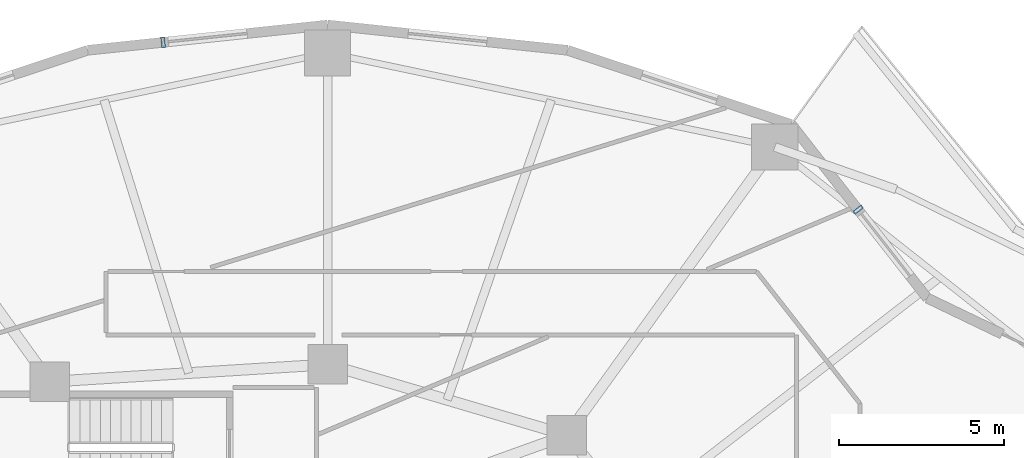
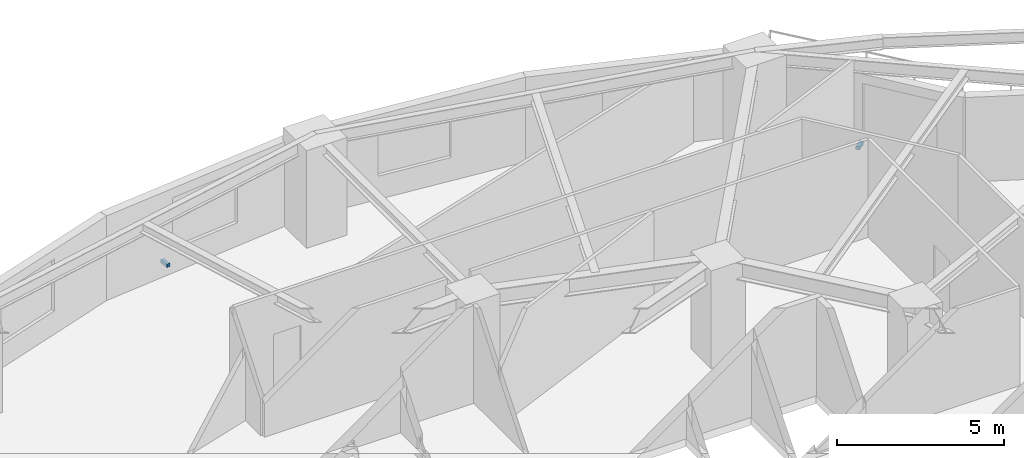
# One storey, part 9 of 14: 2 discrete accessories.
"""IFC4 building model written with IfcOpenShell, lengths in metres."""

from ifc_helpers import new_model, si_unit, direction, frame, origin, origin_2d, place, context, subcontext, project, spatial, rectangle, extrude, material, type_object, element, save


model = new_model("IFC4")

# Units and contexts
model_context = context("Model", 3, precision=1e-05, world=origin(), true_north=direction((0.0, 1.0)))
body_context = subcontext(model_context, "Body", "Model", "MODEL_VIEW")
ifc_project = project(units=[si_unit("LENGTHUNIT", "METRE"), si_unit("AREAUNIT", "SQUARE_METRE"), si_unit("VOLUMEUNIT", "CUBIC_METRE"), si_unit("PLANEANGLEUNIT", "RADIAN"), si_unit("MASSUNIT", "GRAM", prefix="KILO")], contexts=[model_context])

# Site, building, storey
site_placement = place(None, origin())
site = spatial("IfcSite", under=ifc_project, at=site_placement, CompositionType="ELEMENT")
building_placement = place(site_placement, origin())
building = spatial("IfcBuilding", under=site, at=building_placement, Name="Kolvaren Gate Tower and Convention Centre", CompositionType="ELEMENT")
storey_placement = place(building_placement, frame((0.0, 0.0, 41.89990234375)))
storey = spatial("IfcBuildingStorey", under=building, at=storey_placement, Name="L09", CompositionType="ELEMENT", Elevation=41.89990234375)

# Discrete accessories
ifc_material = material(Name="Anodized Architectural Aluminium Alloy 6063-T6", Category="aluminium")
discrete_accessory_type = type_object("IfcDiscreteAccessoryType", Name="ARCH-ACC-BRACKET-120", PredefinedType="BRACKET", material=ifc_material)
for number, where, z_axis, x_axis, name in (
    (1, (46.215576171875, 43.89501953125, 0.2900390625), (0.0, 0.0, 1.0), (0.616424499081, -0.787414018756, 0.0), "Ceramic Fin Wall Anchor Bracket FBK-L09-03"),
    (2, (25.133056640625, 48.97412109375, 0.2900390625), (0.0, 0.0, 1.0), (0.994498884311, 0.104747167526, 0.0), "Ceramic Fin Wall Anchor Bracket FBK-L09-06"),
):
    element("IfcDiscreteAccessory", number, at=place(storey_placement, frame(where, z_axis=z_axis, x_axis=x_axis)), inside=storey, type_object=discrete_accessory_type, Name=name, PredefinedType="BRACKET", context=body_context, shape_type="SweptSolid", body=[
        extrude(rectangle(XDim=0.1201171875, YDim=0.320068359375, at=origin_2d()), origin(), (0.0, 0.0, 1.0), 0.1201171875),
    ])

save(model, "model.ifc")
